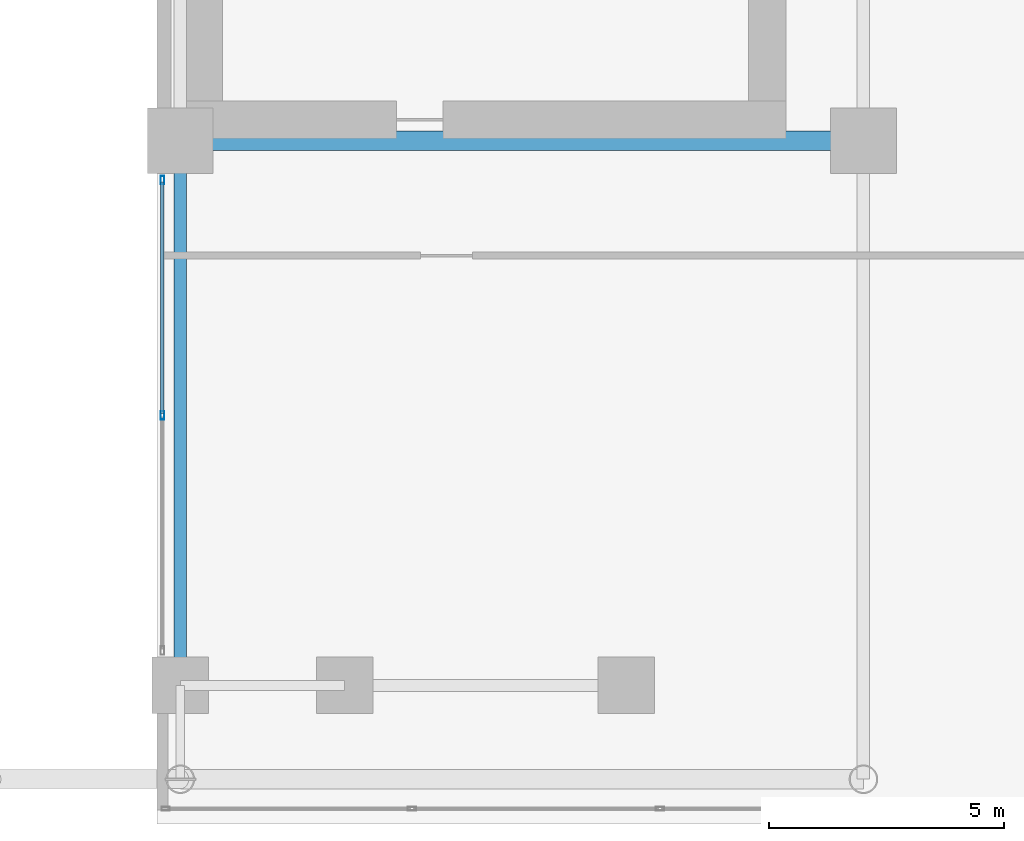
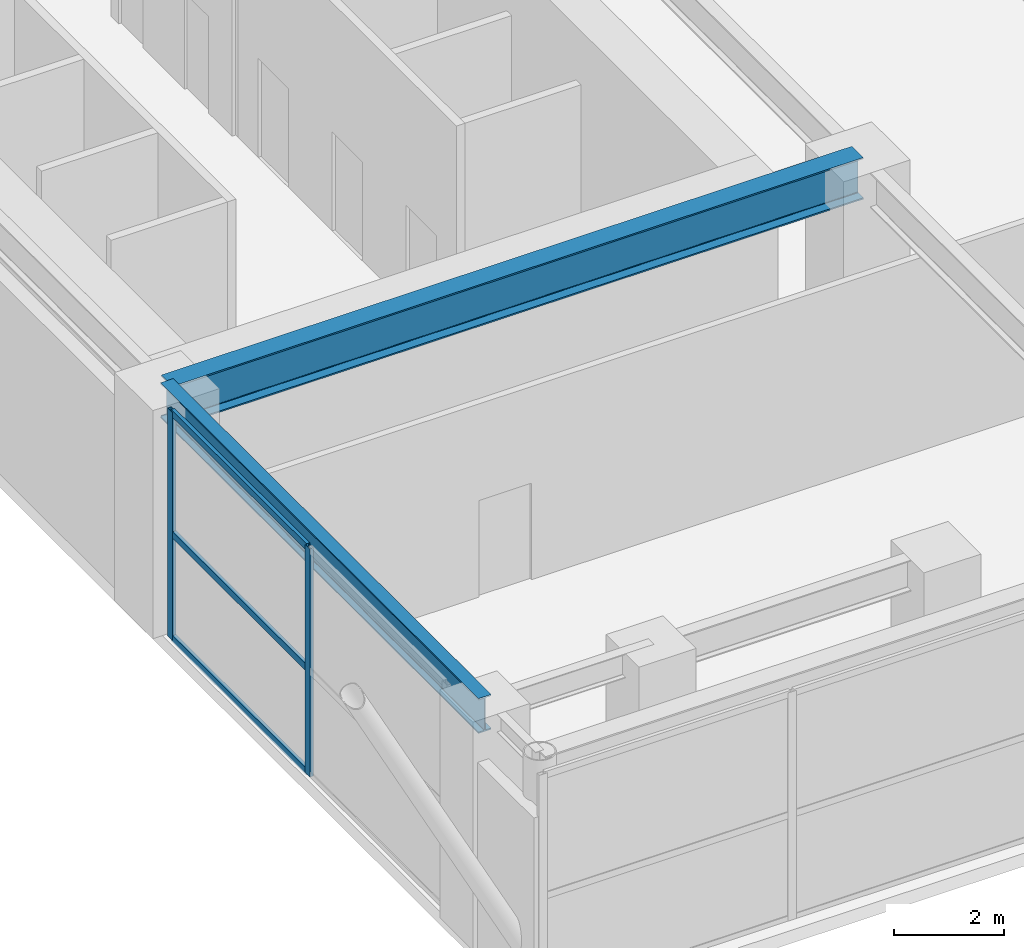
# One storey, part 9 of 29: 5 members, 2 beams, 1 element without a shape of its own.
"""IFC4 building model written with IfcOpenShell, lengths in metres."""

import ifcopenshell
import ifcopenshell.guid

model = None  # the IFC model being written
_history = None  # IfcOwnerHistory: only IFC2X3 demands one
_inside = {}  # id of a spatial element -> (the spatial element, [elements in it])
_under = {}  # id of a project, library or spatial element -> (it, [spatial elements below it])
_declared = {}  # id of a project -> (the project, [libraries it declares])
_typed = {}  # id of a type object -> (the type object, [elements of that type])
_made_of = {}  # id of a material, layer set ... -> (it, [elements and type objects made of it])


def new_model(schema):
    """Start an empty IFC model of exactly this schema.

    Asked for "IFC4X3", IfcOpenShell would pick the latest addendum, in which some entities
    have other attributes; the version numbers below select the first issue.
    IFC2X3 requires an IfcOwnerHistory on every rooted entity: one is made here for all.
    """
    global model, _history
    if schema == "IFC4X3":
        model = ifcopenshell.file(schema_version=(4, 3, 0, 0))
    else:
        model = ifcopenshell.file(schema=schema)
    _inside.clear()
    _under.clear()
    _declared.clear()
    _typed.clear()
    _made_of.clear()
    _history = None
    if model.schema == "IFC2X3":
        org = make("IfcOrganization", Name="unknown")
        user = make(
            "IfcPersonAndOrganization",
            ThePerson=make("IfcPerson", FamilyName="unknown"),
            TheOrganization=org,
        )
        app = make(
            "IfcApplication",
            ApplicationDeveloper=org,
            Version="unknown",
            ApplicationFullName="unknown",
            ApplicationIdentifier="unknown",
        )
        _history = make(
            "IfcOwnerHistory",
            OwningUser=user,
            OwningApplication=app,
            ChangeAction="ADDED",
            CreationDate=0,
        )
    return model


def make(cls, **values):
    """One entity of the class cls with the attributes given. An attribute that is None is left unset."""
    return model.create_entity(
        cls, **{name: value for name, value in values.items() if value is not None}
    )


def rooted(cls, **values):
    """An entity with a GlobalId (a new one), such as an element, a storey or a relation."""
    return make(cls, GlobalId=ifcopenshell.guid.new(), OwnerHistory=_history, **values)


def si_unit(unit_type, name, prefix=None):
    """IfcSIUnit, for example si_unit("LENGTHUNIT", "METRE", prefix="MILLI")."""
    return make("IfcSIUnit", UnitType=unit_type, Prefix=prefix, Name=name)


def assignment(units):
    """IfcUnitAssignment: the units of a project."""
    return None if units is None else make("IfcUnitAssignment", Units=units)


def point(xyz):
    """IfcCartesianPoint."""
    return None if xyz is None else make("IfcCartesianPoint", Coordinates=xyz)


def direction(xyz):
    """IfcDirection."""
    return None if xyz is None else make("IfcDirection", DirectionRatios=xyz)


def frame(location, z_axis=None, x_axis=None):
    """IfcAxis2Placement3D, a coordinate frame: its origin and axes. An axis left out is left unset."""
    return make(
        "IfcAxis2Placement3D",
        Location=point(location),
        Axis=direction(z_axis),
        RefDirection=direction(x_axis),
    )


def frame_2d(location, x_axis=None):
    """IfcAxis2Placement2D, a coordinate frame in the plane: its origin and x axis."""
    return make(
        "IfcAxis2Placement2D", Location=point(location), RefDirection=direction(x_axis)
    )


def origin():
    """The frame at (0, 0, 0) with its axes left unset."""
    return frame((0.0, 0.0, 0.0))


def origin_2d():
    """The frame at (0, 0) in the plane with its x axis left unset."""
    return frame_2d((0.0, 0.0))


def place(relative_to, where):
    """IfcLocalPlacement: puts the frame where relative to a parent placement (None: the world)."""
    return make(
        "IfcLocalPlacement", PlacementRelTo=relative_to, RelativePlacement=where
    )


def context(
    kind, dimensions, precision=None, world=None, true_north=None, identifier=None
):
    """IfcGeometricRepresentationContext, for example the 3D "Model" context."""
    return make(
        "IfcGeometricRepresentationContext",
        ContextIdentifier=identifier,
        ContextType=kind,
        CoordinateSpaceDimension=dimensions,
        Precision=precision,
        WorldCoordinateSystem=world,
        TrueNorth=true_north,
    )


def subcontext(parent, identifier, kind, view, scale=None):
    """IfcGeometricRepresentationSubContext, for example "Body" below "Model"."""
    return make(
        "IfcGeometricRepresentationSubContext",
        ContextIdentifier=identifier,
        ContextType=kind,
        ParentContext=parent,
        TargetScale=scale,
        TargetView=view,
    )


def project(units=None, contexts=None):
    """IfcProject with its units and contexts."""
    return rooted(
        "IfcProject",
        Name="project",
        RepresentationContexts=contexts,
        UnitsInContext=assignment(units),
    )


def spatial(cls, under=None, at=None, **own):
    """A site, building, storey or space (cls), placed at a placement, below another one or the project."""
    s = rooted(cls, ObjectPlacement=at, **own)
    if under is not None:
        _under.setdefault(under.id(), (under, []))[1].append(s)
    return s


def profile(cls, at=None, kind="AREA", **sizes):
    """A parametric profile (cls). Its sizes go by their IFC names, for example OverallWidth=200.0."""
    return make(cls, ProfileType=kind, Position=at, **sizes)


def hollow_rectangle(**sizes):
    """IfcRectangleHollowProfileDef."""
    return profile("IfcRectangleHollowProfileDef", **sizes)


def i_section(**sizes):
    """IfcIShapeProfileDef."""
    return profile("IfcIShapeProfileDef", **sizes)


def extrude(swept, where, along, depth):
    """IfcExtrudedAreaSolid: the profile swept, set in the frame where, extruded along a direction by depth."""
    return make(
        "IfcExtrudedAreaSolid",
        SweptArea=swept,
        Position=where,
        ExtrudedDirection=direction(along),
        Depth=depth,
    )


def shape(context_of_items, identifier, shape_type, items):
    """IfcShapeRepresentation: the items that make up one representation, for example the "Body"."""
    return make(
        "IfcShapeRepresentation",
        ContextOfItems=context_of_items,
        RepresentationIdentifier=identifier,
        RepresentationType=shape_type,
        Items=items,
    )


def source(mapping_origin, context_of_items, identifier, shape_type, items):
    """IfcRepresentationMap: a shape defined once, which mapped items show again and again."""
    return make(
        "IfcRepresentationMap",
        MappingOrigin=mapping_origin,
        MappedRepresentation=shape(context_of_items, identifier, shape_type, items),
    )


def transform(
    local_origin,
    x_axis=None,
    y_axis=None,
    z_axis=None,
    scale=None,
    scale2=None,
    scale3=None,
    uniform=True,
):
    """IfcCartesianTransformationOperator3D, or its non-uniform kind. x_axis, y_axis, z_axis: its Axis1, 2, 3."""
    if uniform:
        return make(
            "IfcCartesianTransformationOperator3D",
            Axis1=direction(x_axis),
            Axis2=direction(y_axis),
            LocalOrigin=point(local_origin),
            Scale=scale,
            Axis3=direction(z_axis),
        )
    return make(
        "IfcCartesianTransformationOperator3DnonUniform",
        Axis1=direction(x_axis),
        Axis2=direction(y_axis),
        LocalOrigin=point(local_origin),
        Scale=scale,
        Axis3=direction(z_axis),
        Scale2=scale2,
        Scale3=scale3,
    )


def mapped(mapping_source, mapping_target):
    """IfcMappedItem: shows the shape of a source again, moved by a transform."""
    return make(
        "IfcMappedItem", MappingSource=mapping_source, MappingTarget=mapping_target
    )


def material(Name=None, Category=None):
    """IfcMaterial."""
    return make("IfcMaterial", Name=Name, Category=Category)


def layer(
    of_material, thickness, ventilated=None, Name=None, Category=None, Priority=None
):
    """IfcMaterialLayer: one layer of a wall or slab, of a material (None: an air gap)."""
    return make(
        "IfcMaterialLayer",
        Material=of_material,
        LayerThickness=thickness,
        IsVentilated=ventilated,
        Name=Name,
        Category=Category,
        Priority=Priority,
    )


def layer_set(layers, Name=None):
    """IfcMaterialLayerSet."""
    return make("IfcMaterialLayerSet", MaterialLayers=layers, LayerSetName=Name)


def material_profile(
    of_material, cross_section, Name=None, Category=None, Priority=None
):
    """IfcMaterialProfile: a cross section and its material."""
    return make(
        "IfcMaterialProfile",
        Name=Name,
        Material=of_material,
        Profile=cross_section,
        Priority=Priority,
        Category=Category,
    )


def profile_set(profiles, Name=None, composite=None):
    """IfcMaterialProfileSet."""
    return make(
        "IfcMaterialProfileSet",
        Name=Name,
        MaterialProfiles=profiles,
        CompositeProfile=composite,
    )


def made_of(thing, what):
    """Note that an element or type object is made of a material, layer set ...; save() writes the relation."""
    if what is not None:
        _made_of.setdefault(what.id(), (what, []))[1].append(thing)
    return thing


def type_object(cls, material=None, **own):
    """A type object (cls), such as IfcWallType, which elements share."""
    return made_of(rooted(cls, **own), material)


def element(
    cls,
    number,
    at=None,
    inside=None,
    cuts=None,
    type_object=None,
    material=None,
    context=None,
    identifier="Body",
    shape_type=None,
    held_by="IfcProductDefinitionShape",
    body=None,
    shapes=None,
    **own,
):
    """One element of the class cls, such as IfcWall. Its Tag is "e" and its number.

    at: its placement. inside: the storey or other place that contains it. cuts: it is an
    opening in that element (IfcRelVoidsElement). A single representation is given by context,
    identifier, shape_type and body (its items); several are given by shapes. held_by: the class
    of the entity that holds the representations. save() writes the other relations.
    """
    e = rooted(cls, Tag="e%d" % number, ObjectPlacement=at, **own)
    if body is not None:
        shapes = [shape(context, identifier, shape_type, body)]
    if shapes is not None:
        e.Representation = make(held_by, Representations=shapes)
    if inside is not None:
        _inside.setdefault(inside.id(), (inside, []))[1].append(e)
    if cuts is not None:
        rooted(
            "IfcRelVoidsElement", RelatingBuildingElement=cuts, RelatedOpeningElement=e
        )
    if type_object is not None:
        _typed.setdefault(type_object.id(), (type_object, []))[1].append(e)
    return made_of(e, material)


def aggregate(whole, parts):
    """IfcRelAggregates: a whole, such as a stair, and the parts it consists of."""
    return rooted("IfcRelAggregates", RelatingObject=whole, RelatedObjects=parts)


def save(model, path):
    """Write the relations noted so far, then the file.

    IfcRelAggregates (storeys below a building ...), IfcRelContainedInSpatialStructure (elements
    in a storey), IfcRelDefinesByType, IfcRelAssociatesMaterial and IfcRelDeclares: one each for
    every whole, place, type object, material and project.
    """
    for whole, parts in _under.values():
        aggregate(whole, parts)
    for where, things in _inside.values():
        rooted(
            "IfcRelContainedInSpatialStructure",
            RelatedElements=things,
            RelatingStructure=where,
        )
    for kind, things in _typed.values():
        rooted("IfcRelDefinesByType", RelatedObjects=things, RelatingType=kind)
    for what, things in _made_of.values():
        rooted("IfcRelAssociatesMaterial", RelatedObjects=things, RelatingMaterial=what)
    for by, libraries in _declared.values():
        rooted("IfcRelDeclares", RelatingContext=by, RelatedDefinitions=libraries)
    model.write(path)


model = new_model("IFC4")

# Units and contexts
model_context = context("Model", 3, precision=1e-05, world=origin(), true_north=direction((0.0, 1.0)))
body_context = subcontext(model_context, "Body", "Model", "MODEL_VIEW")
ifc_project = project(units=[si_unit("LENGTHUNIT", "METRE"), si_unit("AREAUNIT", "SQUARE_METRE"), si_unit("VOLUMEUNIT", "CUBIC_METRE"), si_unit("PLANEANGLEUNIT", "RADIAN"), si_unit("MASSUNIT", "GRAM", prefix="KILO")], contexts=[model_context])

# Site, building, storey
site_placement = place(None, origin())
site = spatial("IfcSite", under=ifc_project, at=site_placement, CompositionType="ELEMENT")
building_placement = place(site_placement, origin())
building = spatial("IfcBuilding", under=site, at=building_placement, Name="Ocotamira Hotel", CompositionType="ELEMENT")
storey_placement = place(building_placement, frame((0.0, 0.0, 6.0)))
storey = spatial("IfcBuildingStorey", under=building, at=storey_placement, Name="L02", CompositionType="ELEMENT", Elevation=6.0)

# Beams
ifc_material_1 = material(Name="Steel ASTM A992 Grade 50", Category="steel")
ifc_material_profile_1 = material_profile(ifc_material_1, i_section(OverallWidth=0.41796875, OverallDepth=0.927001953125, WebThickness=0.019287109375, FlangeThickness=0.031982421875, FilletRadius=0.02392578125, at=origin_2d()), Name="W36X231")
ifc_profile_set_1 = profile_set([ifc_material_profile_1], Name="Steel ASTM A992 Grade 50")
beam_type_1 = type_object("IfcBeamType", Name="BM-GIRD-W36X231", PredefinedType="BEAM", material=ifc_profile_set_1)
shared_shape_1 = source(origin(), body_context, "Body", "SweptSolid", [
    extrude(i_section(OverallWidth=0.41796875, OverallDepth=0.927001953125, WebThickness=0.019287109375, FlangeThickness=0.031982421875, FilletRadius=0.02392578125, at=origin_2d()), origin(), (0.0, 0.0, 1.0), 14.550048828125),
])
beam_1_placement = place(storey_placement, frame((40.5, 14.550048828125, 4.616455078125), z_axis=(1.0, 0.0, 0.0), x_axis=(0.0, 1.0, 0.0)))
element("IfcBeam", 1, at=beam_1_placement, inside=storey, type_object=beam_type_1, Name="L02 Girder Y14.55 X40.5-55.05", PredefinedType="BEAM", context=body_context, shape_type="MappedRepresentation", body=[
    mapped(shared_shape_1, transform((0.0, 0.0, 0.0), scale=1.0)),
])
ifc_material_profile_2 = material_profile(ifc_material_1, i_section(OverallWidth=0.26611328125, OverallDepth=0.779052734375, WebThickness=0.0166015625, FlangeThickness=0.030029296875, FilletRadius=0.01806640625, at=origin_2d()), Name="W30X148")
ifc_profile_set_2 = profile_set([ifc_material_profile_2], Name="Steel ASTM A992 Grade 50")
beam_type_2 = type_object("IfcBeamType", Name="BM-GIRD-W30X148", PredefinedType="BEAM", material=ifc_profile_set_2)
shared_shape_2 = source(origin(), body_context, "Body", "SweptSolid", [
    extrude(i_section(OverallWidth=0.26611328125, OverallDepth=0.779052734375, WebThickness=0.0166015625, FlangeThickness=0.030029296875, FilletRadius=0.01806640625, at=origin_2d()), origin(), (0.0, 0.0, 1.0), 11.60009765625),
])
beam_2_placement = place(storey_placement, frame((40.5, 2.949951171875, 4.6904296875), z_axis=(0.0, 1.0, 0.0), x_axis=(-1.0, 0.0, 0.0)))
element("IfcBeam", 2, at=beam_2_placement, inside=storey, type_object=beam_type_2, Name="L02 Beam X40.5 Y2.95-14.55", PredefinedType="BEAM", context=body_context, shape_type="MappedRepresentation", body=[
    mapped(shared_shape_2, transform((0.0, 0.0, 0.0), scale=1.0)),
])

# Curtain wall, members
ifc_material_2 = material(Name="Anodised pale-metal aluminium and solar glass", Category="aluminium")
ifc_layer = layer(ifc_material_2, 0.219970703125)
ifc_layer_set = layer_set([ifc_layer], Name="Anodised pale-metal aluminium and solar glass")
curtain_wall_type = type_object("IfcCurtainWallType", Name="CW-SYS1-POD", PredefinedType="NOTDEFINED", material=ifc_layer_set)
curtain_wall_placement = place(storey_placement, origin())
curtain_wall = element("IfcCurtainWall", 3, at=curtain_wall_placement, inside=storey, type_object=curtain_wall_type, Name="L02 Curtain Wall CW-1 CW-L02-AE-S", PredefinedType="NOTDEFINED")
ifc_material_3 = material(Name="Anodised pale-metal aluminium 6063-T6", Category="aluminium")
ifc_material_profile_3 = material_profile(ifc_material_3, hollow_rectangle(XDim=0.080078125, YDim=0.179931640625, WallThickness=0.006103515625, at=origin_2d()), Name="HSS180X80X6")
ifc_profile_set_3 = profile_set([ifc_material_profile_3], Name="Anodised pale-metal aluminium 6063-T6")
member_type_1 = type_object("IfcMemberType", Name="CWM-180X75", PredefinedType="MULLION", material=ifc_profile_set_3)
shared_shape_3 = source(origin(), body_context, "Body", "SweptSolid", [
    extrude(hollow_rectangle(XDim=0.080078125, YDim=0.179931640625, WallThickness=0.006103515625, at=origin_2d()), origin(), (0.0, 0.0, 1.0), 5.080078125),
])
member_1_placement = place(storey_placement, frame((40.1201171875, 8.699951171875, 0.0), z_axis=(0.0, 0.0, 1.0), x_axis=(-1.0, 0.0, 0.0)))
member_1 = element("IfcMember", 4, at=member_1_placement, type_object=member_type_1, Name="CW-1 mullion 2", PredefinedType="MULLION", context=body_context, shape_type="MappedRepresentation", body=[
    mapped(shared_shape_3, transform((0.0, 0.0, 0.0), scale=1.0)),
])
member_2_placement = place(storey_placement, frame((40.1201171875, 13.7099609375, 0.0), z_axis=(0.0, 0.0, 1.0), x_axis=(-1.0, 0.0, 0.0)))
member_2 = element("IfcMember", 5, at=member_2_placement, type_object=member_type_1, Name="CW-1 mullion 3", PredefinedType="MULLION", context=body_context, shape_type="MappedRepresentation", body=[
    mapped(shared_shape_3, transform((0.0, 0.0, 0.0), scale=1.0)),
])
ifc_material_profile_4 = material_profile(ifc_material_3, hollow_rectangle(XDim=0.074951171875, YDim=0.14990234375, WallThickness=0.006103515625, at=origin_2d()), Name="HSS150X75X6")
ifc_profile_set_4 = profile_set([ifc_material_profile_4], Name="Anodised pale-metal aluminium 6063-T6")
member_type_2 = type_object("IfcMemberType", Name="CWT-150X75", PredefinedType="USERDEFINED", material=ifc_profile_set_4)
shared_shape_4 = source(origin(), body_context, "Body", "SweptSolid", [
    extrude(hollow_rectangle(XDim=0.074951171875, YDim=0.14990234375, WallThickness=0.006103515625, at=origin_2d()), origin(), (0.0, 0.0, 1.0), 4.929931640625),
])
member_3_placement = place(storey_placement, frame((40.1201171875, 8.739990234375, 0.03759765625), z_axis=(0.0, 1.0, 0.0), x_axis=(-1.0, 0.0, 0.0)))
member_3 = element("IfcMember", 6, at=member_3_placement, type_object=member_type_2, Name="CW-1 transom 2.1", ObjectType="TRANSOM", PredefinedType="USERDEFINED", context=body_context, shape_type="MappedRepresentation", body=[
    mapped(shared_shape_4, transform((0.0, 0.0, 0.0), scale=1.0)),
])
member_4_placement = place(storey_placement, frame((40.1201171875, 8.739990234375, 2.35009765625), z_axis=(0.0, 1.0, 0.0), x_axis=(-1.0, 0.0, 0.0)))
member_4 = element("IfcMember", 7, at=member_4_placement, type_object=member_type_2, Name="CW-1 transom 2.2", ObjectType="TRANSOM", PredefinedType="USERDEFINED", context=body_context, shape_type="MappedRepresentation", body=[
    mapped(shared_shape_4, transform((0.0, 0.0, 0.0), scale=1.0)),
])
member_5_placement = place(storey_placement, frame((40.1201171875, 8.739990234375, 5.04248046875), z_axis=(0.0, 1.0, 0.0), x_axis=(-1.0, 0.0, 0.0)))
member_5 = element("IfcMember", 8, at=member_5_placement, type_object=member_type_2, Name="CW-1 transom 2.3", ObjectType="TRANSOM", PredefinedType="USERDEFINED", context=body_context, shape_type="MappedRepresentation", body=[
    mapped(shared_shape_4, transform((0.0, 0.0, 0.0), scale=1.0)),
])
aggregate(curtain_wall, [member_1, member_2, member_3, member_4, member_5])

save(model, "model.ifc")
